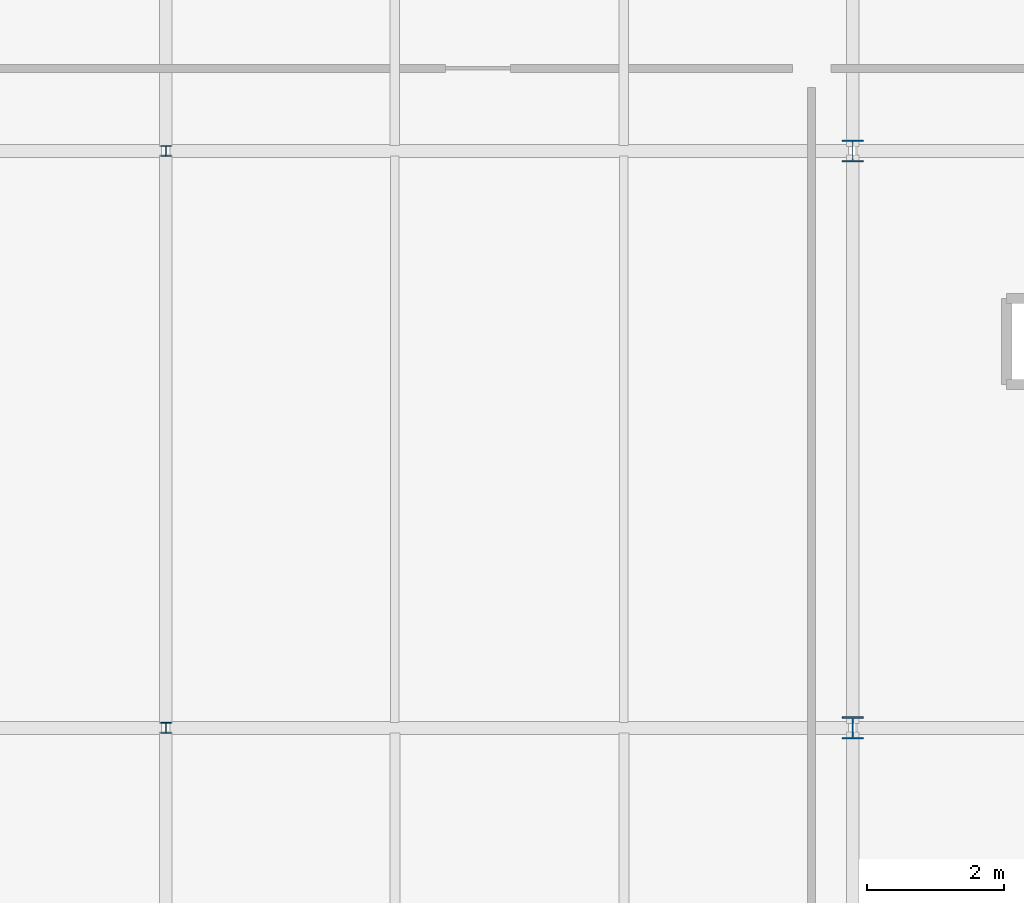
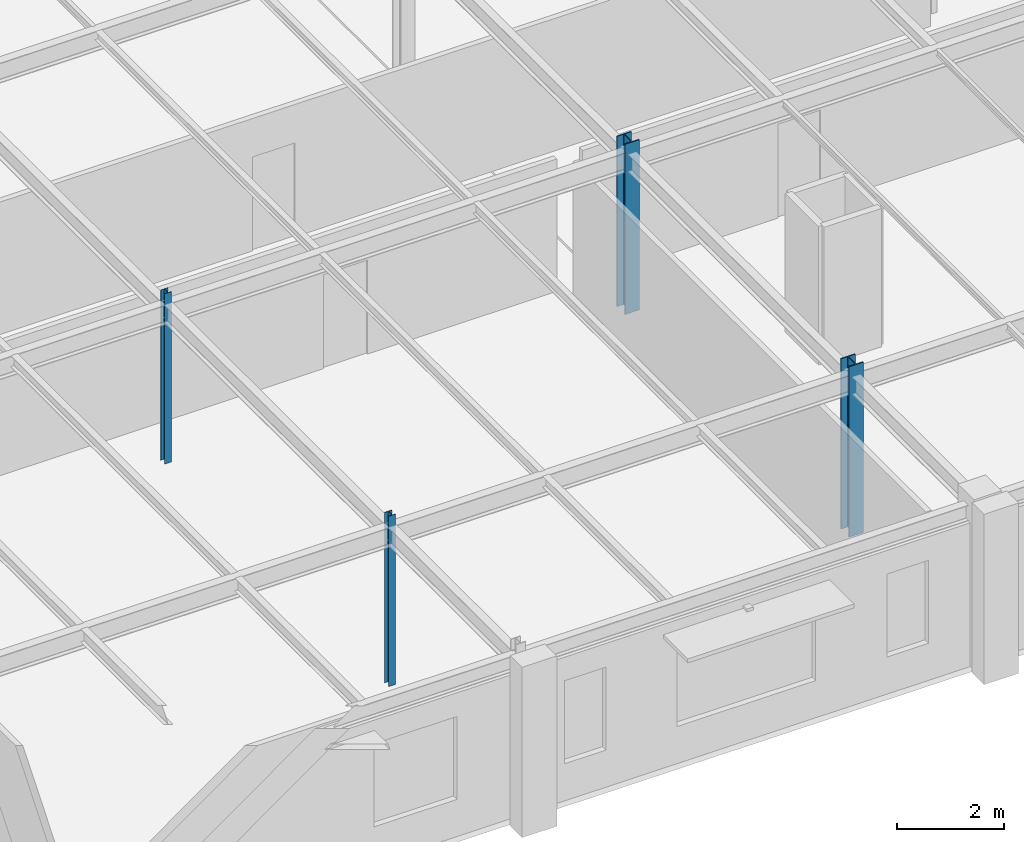
# One storey, part 19 of 98: 4 columns.
"""IFC4 building model written with IfcOpenShell, lengths in metres."""

from ifc_helpers import new_model, si_unit, derived_unit, direction, frame, origin, origin_2d_with_axis, place, context, subcontext, project, spatial, i_section, extrude, material, material_profile, profile_set, type_object, element, save


model = new_model("IFC4")

# Units and contexts
model_context = context("Model", 3, precision=1e-05, world=origin(), true_north=direction((0.0, 1.0)))
body_context = subcontext(model_context, "Body", "Model", "MODEL_VIEW")
ifc_project = project(units=[si_unit("LENGTHUNIT", "METRE"), si_unit("AREAUNIT", "SQUARE_METRE"), si_unit("VOLUMEUNIT", "CUBIC_METRE"), si_unit("PLANEANGLEUNIT", "RADIAN"), si_unit("MASSUNIT", "GRAM", prefix="KILO"), derived_unit("THERMALTRANSMITTANCEUNIT", [(si_unit("POWERUNIT", "WATT"), 1), (si_unit("LENGTHUNIT", "METRE"), -2), (si_unit("THERMODYNAMICTEMPERATUREUNIT", "KELVIN"), -1)])], contexts=[model_context])

# Site, building, storey
site_placement = place(None, origin())
site = spatial("IfcSite", under=ifc_project, at=site_placement, CompositionType="ELEMENT")
building_placement = place(site_placement, origin())
building = spatial("IfcBuilding", under=site, at=building_placement, Name="Cinnabar Yard Market Hall", CompositionType="ELEMENT")
storey_placement = place(building_placement, frame((0.0, 0.0, 4.5)))
storey = spatial("IfcBuildingStorey", under=building, at=storey_placement, Name="L01", CompositionType="ELEMENT", Elevation=4.5)

# Columns
ifc_material_1 = material(Name="Steel Grade 350 (350 MPa)", Category="steel")
ifc_material_profile_1 = material_profile(ifc_material_1, i_section(OverallWidth=0.311279296875, OverallDepth=0.3271484375, WebThickness=0.015625, FlangeThickness=0.02490234375, FilletRadius=0.0166015625, at=origin_2d_with_axis()), Name="310UC158")
ifc_profile_set_1 = profile_set([ifc_material_profile_1], Name="Steel Grade 350 (350 MPa)")
column_type_1 = type_object("IfcColumnType", Name="COL-C06", PredefinedType="COLUMN", material=ifc_profile_set_1)
column_1_placement = place(storey_placement, frame((86.0, 112.800048828125, 0.0), z_axis=(0.0, 0.0, 1.0), x_axis=(1.0, 0.0, 0.0)))
element("IfcColumn", 1, at=column_1_placement, inside=storey, type_object=column_type_1, Name="Wing Column V3-03-02 L01", PredefinedType="COLUMN", context=body_context, shape_type="SweptSolid", body=[
    extrude(i_section(OverallWidth=0.311279296875, OverallDepth=0.3271484375, WebThickness=0.015625, FlangeThickness=0.02490234375, FilletRadius=0.0166015625, at=origin_2d_with_axis()), origin(), (0.0, 0.0, 1.0), 3.89990234375),
])
ifc_material_profile_2 = material_profile(ifc_material_1, i_section(OverallWidth=0.30908203125, OverallDepth=0.320556640625, WebThickness=0.013916015625, FlangeThickness=0.021728515625, FilletRadius=0.0166015625, at=origin_2d_with_axis()), Name="310UC137")
ifc_profile_set_2 = profile_set([ifc_material_profile_2], Name="Steel Grade 350 (350 MPa)")
column_type_2 = type_object("IfcColumnType", Name="COL-C07", PredefinedType="COLUMN", material=ifc_profile_set_2)
column_2_placement = place(storey_placement, frame((86.0, 121.199951171875, 0.0), z_axis=(0.0, 0.0, 1.0), x_axis=(1.0, 0.0, 0.0)))
element("IfcColumn", 2, at=column_2_placement, inside=storey, type_object=column_type_2, Name="Wing Column V3-03-03 L01", PredefinedType="COLUMN", context=body_context, shape_type="SweptSolid", body=[
    extrude(i_section(OverallWidth=0.30908203125, OverallDepth=0.320556640625, WebThickness=0.013916015625, FlangeThickness=0.021728515625, FilletRadius=0.0166015625, at=origin_2d_with_axis()), origin(), (0.0, 0.0, 1.0), 3.89990234375),
])
ifc_material_2 = material(Name="Steel Grade 300 (300 MPa)", Category="steel")
ifc_material_profile_3 = material_profile(ifc_material_2, i_section(OverallWidth=0.15283203125, OverallDepth=0.15771484375, WebThickness=0.006591796875, FlangeThickness=0.009521484375, FilletRadius=0.0087890625, at=origin_2d_with_axis()), Name="150UC30.0")
ifc_profile_set_3 = profile_set([ifc_material_profile_3], Name="Steel Grade 300 (300 MPa)")
column_type_3 = type_object("IfcColumnType", Name="COL-C18", PredefinedType="COLUMN", material=ifc_profile_set_3)
column_3_placement = place(storey_placement, frame((76.0, 112.800048828125, 0.0), z_axis=(0.0, 0.0, 1.0), x_axis=(1.0, 0.0, 0.0)))
element("IfcColumn", 3, at=column_3_placement, inside=storey, type_object=column_type_3, Name="Wing Column V3-02-02 L01", PredefinedType="COLUMN", context=body_context, shape_type="SweptSolid", body=[
    extrude(i_section(OverallWidth=0.15283203125, OverallDepth=0.15771484375, WebThickness=0.006591796875, FlangeThickness=0.009521484375, FilletRadius=0.0087890625, at=origin_2d_with_axis()), origin(), (0.0, 0.0, 1.0), 3.89990234375),
])
ifc_material_profile_4 = material_profile(ifc_material_2, i_section(OverallWidth=0.152099609375, OverallDepth=0.15234375, WebThickness=0.005859375, FlangeThickness=0.0068359375, FilletRadius=0.0087890625, at=origin_2d_with_axis()), Name="150UC23.4")
ifc_profile_set_4 = profile_set([ifc_material_profile_4], Name="Steel Grade 300 (300 MPa)")
column_type_4 = type_object("IfcColumnType", Name="COL-C19", PredefinedType="COLUMN", material=ifc_profile_set_4)
column_4_placement = place(storey_placement, frame((76.0, 121.199951171875, 0.0), z_axis=(0.0, 0.0, 1.0), x_axis=(1.0, 0.0, 0.0)))
element("IfcColumn", 4, at=column_4_placement, inside=storey, type_object=column_type_4, Name="Wing Column V3-02-03 L01", PredefinedType="COLUMN", context=body_context, shape_type="SweptSolid", body=[
    extrude(i_section(OverallWidth=0.152099609375, OverallDepth=0.15234375, WebThickness=0.005859375, FlangeThickness=0.0068359375, FilletRadius=0.0087890625, at=origin_2d_with_axis()), origin(), (0.0, 0.0, 1.0), 3.89990234375),
])

save(model, "model.ifc")
